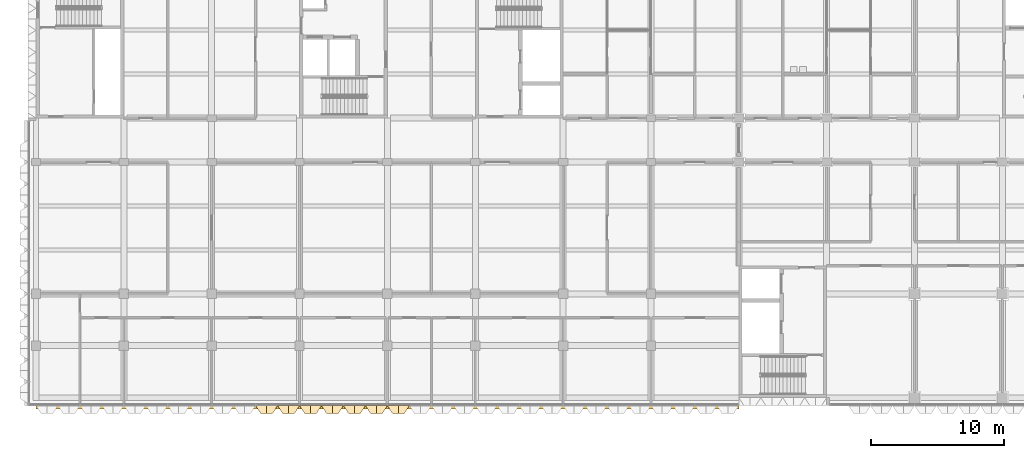
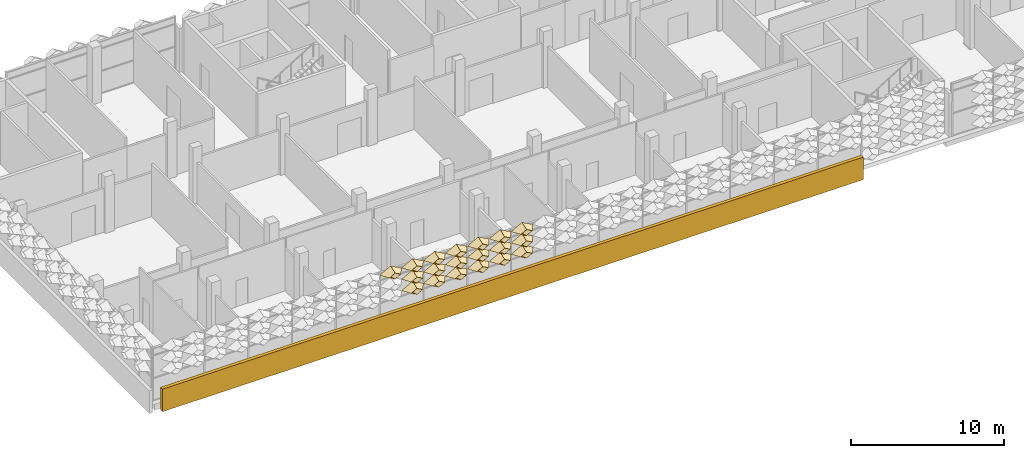
# One storey, part 40 of 85: 20 coverings.
"""IFC4 building model written with IfcOpenShell, lengths in metres."""

import ifcopenshell
import ifcopenshell.guid

model = None  # the IFC model being written
_history = None  # IfcOwnerHistory: only IFC2X3 demands one
_inside = {}  # id of a spatial element -> (the spatial element, [elements in it])
_under = {}  # id of a project, library or spatial element -> (it, [spatial elements below it])
_declared = {}  # id of a project -> (the project, [libraries it declares])
_typed = {}  # id of a type object -> (the type object, [elements of that type])
_made_of = {}  # id of a material, layer set ... -> (it, [elements and type objects made of it])


def new_model(schema):
    """Start an empty IFC model of exactly this schema.

    Asked for "IFC4X3", IfcOpenShell would pick the latest addendum, in which some entities
    have other attributes; the version numbers below select the first issue.
    IFC2X3 requires an IfcOwnerHistory on every rooted entity: one is made here for all.
    """
    global model, _history
    if schema == "IFC4X3":
        model = ifcopenshell.file(schema_version=(4, 3, 0, 0))
    else:
        model = ifcopenshell.file(schema=schema)
    _inside.clear()
    _under.clear()
    _declared.clear()
    _typed.clear()
    _made_of.clear()
    _history = None
    if model.schema == "IFC2X3":
        org = make("IfcOrganization", Name="unknown")
        user = make(
            "IfcPersonAndOrganization",
            ThePerson=make("IfcPerson", FamilyName="unknown"),
            TheOrganization=org,
        )
        app = make(
            "IfcApplication",
            ApplicationDeveloper=org,
            Version="unknown",
            ApplicationFullName="unknown",
            ApplicationIdentifier="unknown",
        )
        _history = make(
            "IfcOwnerHistory",
            OwningUser=user,
            OwningApplication=app,
            ChangeAction="ADDED",
            CreationDate=0,
        )
    return model


def make(cls, **values):
    """One entity of the class cls with the attributes given. An attribute that is None is left unset."""
    return model.create_entity(
        cls, **{name: value for name, value in values.items() if value is not None}
    )


def entity(cls, *values):
    """Any entity or typed value of the class cls, its attributes in the order of the schema. None: left unset."""
    e = model.create_entity(cls)
    for i, value in enumerate(values):
        if value is not None:
            e[i] = value
    return e


def rooted(cls, **values):
    """An entity with a GlobalId (a new one), such as an element, a storey or a relation."""
    return make(cls, GlobalId=ifcopenshell.guid.new(), OwnerHistory=_history, **values)


def si_unit(unit_type, name, prefix=None):
    """IfcSIUnit, for example si_unit("LENGTHUNIT", "METRE", prefix="MILLI")."""
    return make("IfcSIUnit", UnitType=unit_type, Prefix=prefix, Name=name)


def assignment(units):
    """IfcUnitAssignment: the units of a project."""
    return None if units is None else make("IfcUnitAssignment", Units=units)


def point(xyz):
    """IfcCartesianPoint."""
    return None if xyz is None else make("IfcCartesianPoint", Coordinates=xyz)


def direction(xyz):
    """IfcDirection."""
    return None if xyz is None else make("IfcDirection", DirectionRatios=xyz)


def frame(location, z_axis=None, x_axis=None):
    """IfcAxis2Placement3D, a coordinate frame: its origin and axes. An axis left out is left unset."""
    return make(
        "IfcAxis2Placement3D",
        Location=point(location),
        Axis=direction(z_axis),
        RefDirection=direction(x_axis),
    )


def frame_2d(location, x_axis=None):
    """IfcAxis2Placement2D, a coordinate frame in the plane: its origin and x axis."""
    return make(
        "IfcAxis2Placement2D", Location=point(location), RefDirection=direction(x_axis)
    )


def origin():
    """The frame at (0, 0, 0) with its axes left unset."""
    return frame((0.0, 0.0, 0.0))


def place(relative_to, where):
    """IfcLocalPlacement: puts the frame where relative to a parent placement (None: the world)."""
    return make(
        "IfcLocalPlacement", PlacementRelTo=relative_to, RelativePlacement=where
    )


def context(
    kind, dimensions, precision=None, world=None, true_north=None, identifier=None
):
    """IfcGeometricRepresentationContext, for example the 3D "Model" context."""
    return make(
        "IfcGeometricRepresentationContext",
        ContextIdentifier=identifier,
        ContextType=kind,
        CoordinateSpaceDimension=dimensions,
        Precision=precision,
        WorldCoordinateSystem=world,
        TrueNorth=true_north,
    )


def subcontext(parent, identifier, kind, view, scale=None):
    """IfcGeometricRepresentationSubContext, for example "Body" below "Model"."""
    return make(
        "IfcGeometricRepresentationSubContext",
        ContextIdentifier=identifier,
        ContextType=kind,
        ParentContext=parent,
        TargetScale=scale,
        TargetView=view,
    )


def project(units=None, contexts=None):
    """IfcProject with its units and contexts."""
    return rooted(
        "IfcProject",
        Name="project",
        RepresentationContexts=contexts,
        UnitsInContext=assignment(units),
    )


def spatial(cls, under=None, at=None, **own):
    """A site, building, storey or space (cls), placed at a placement, below another one or the project."""
    s = rooted(cls, ObjectPlacement=at, **own)
    if under is not None:
        _under.setdefault(under.id(), (under, []))[1].append(s)
    return s


def profile(cls, at=None, kind="AREA", **sizes):
    """A parametric profile (cls). Its sizes go by their IFC names, for example OverallWidth=200.0."""
    return make(cls, ProfileType=kind, Position=at, **sizes)


def rectangle(**sizes):
    """IfcRectangleProfileDef."""
    return profile("IfcRectangleProfileDef", **sizes)


def extrude(swept, where, along, depth):
    """IfcExtrudedAreaSolid: the profile swept, set in the frame where, extruded along a direction by depth."""
    return make(
        "IfcExtrudedAreaSolid",
        SweptArea=swept,
        Position=where,
        ExtrudedDirection=direction(along),
        Depth=depth,
    )


def shape(context_of_items, identifier, shape_type, items):
    """IfcShapeRepresentation: the items that make up one representation, for example the "Body"."""
    return make(
        "IfcShapeRepresentation",
        ContextOfItems=context_of_items,
        RepresentationIdentifier=identifier,
        RepresentationType=shape_type,
        Items=items,
    )


def material(Name=None, Category=None):
    """IfcMaterial."""
    return make("IfcMaterial", Name=Name, Category=Category)


def layer(
    of_material, thickness, ventilated=None, Name=None, Category=None, Priority=None
):
    """IfcMaterialLayer: one layer of a wall or slab, of a material (None: an air gap)."""
    return make(
        "IfcMaterialLayer",
        Material=of_material,
        LayerThickness=thickness,
        IsVentilated=ventilated,
        Name=Name,
        Category=Category,
        Priority=Priority,
    )


def layer_set(layers, Name=None):
    """IfcMaterialLayerSet."""
    return make("IfcMaterialLayerSet", MaterialLayers=layers, LayerSetName=Name)


def made_of(thing, what):
    """Note that an element or type object is made of a material, layer set ...; save() writes the relation."""
    if what is not None:
        _made_of.setdefault(what.id(), (what, []))[1].append(thing)
    return thing


def type_object(cls, material=None, **own):
    """A type object (cls), such as IfcWallType, which elements share."""
    return made_of(rooted(cls, **own), material)


def element(
    cls,
    number,
    at=None,
    inside=None,
    cuts=None,
    type_object=None,
    material=None,
    context=None,
    identifier="Body",
    shape_type=None,
    held_by="IfcProductDefinitionShape",
    body=None,
    shapes=None,
    **own,
):
    """One element of the class cls, such as IfcWall. Its Tag is "e" and its number.

    at: its placement. inside: the storey or other place that contains it. cuts: it is an
    opening in that element (IfcRelVoidsElement). A single representation is given by context,
    identifier, shape_type and body (its items); several are given by shapes. held_by: the class
    of the entity that holds the representations. save() writes the other relations.
    """
    e = rooted(cls, Tag="e%d" % number, ObjectPlacement=at, **own)
    if body is not None:
        shapes = [shape(context, identifier, shape_type, body)]
    if shapes is not None:
        e.Representation = make(held_by, Representations=shapes)
    if inside is not None:
        _inside.setdefault(inside.id(), (inside, []))[1].append(e)
    if cuts is not None:
        rooted(
            "IfcRelVoidsElement", RelatingBuildingElement=cuts, RelatedOpeningElement=e
        )
    if type_object is not None:
        _typed.setdefault(type_object.id(), (type_object, []))[1].append(e)
    return made_of(e, material)


def aggregate(whole, parts):
    """IfcRelAggregates: a whole, such as a stair, and the parts it consists of."""
    return rooted("IfcRelAggregates", RelatingObject=whole, RelatedObjects=parts)


def save(model, path):
    """Write the relations noted so far, then the file.

    IfcRelAggregates (storeys below a building ...), IfcRelContainedInSpatialStructure (elements
    in a storey), IfcRelDefinesByType, IfcRelAssociatesMaterial and IfcRelDeclares: one each for
    every whole, place, type object, material and project.
    """
    for whole, parts in _under.values():
        aggregate(whole, parts)
    for where, things in _inside.values():
        rooted(
            "IfcRelContainedInSpatialStructure",
            RelatedElements=things,
            RelatingStructure=where,
        )
    for kind, things in _typed.values():
        rooted("IfcRelDefinesByType", RelatedObjects=things, RelatingType=kind)
    for what, things in _made_of.values():
        rooted("IfcRelAssociatesMaterial", RelatedObjects=things, RelatingMaterial=what)
    for by, libraries in _declared.values():
        rooted("IfcRelDeclares", RelatingContext=by, RelatedDefinitions=libraries)
    model.write(path)


model = new_model("IFC4")

# Units and contexts
model_context = context("Model", 3, precision=1e-05, world=origin(), true_north=direction((0.0, 1.0)))
body_context = subcontext(model_context, "Body", "Model", "MODEL_VIEW")
ifc_project = project(units=[si_unit("LENGTHUNIT", "METRE"), si_unit("AREAUNIT", "SQUARE_METRE"), si_unit("VOLUMEUNIT", "CUBIC_METRE"), si_unit("PLANEANGLEUNIT", "RADIAN"), si_unit("MASSUNIT", "GRAM", prefix="KILO")], contexts=[model_context])

# Site, building, storey
site_placement = place(None, origin())
site = spatial("IfcSite", under=ifc_project, at=site_placement, CompositionType="ELEMENT")
building_placement = place(site_placement, origin())
building = spatial("IfcBuilding", under=site, at=building_placement, Name="Lantern Court Research Institute", CompositionType="ELEMENT")
storey_placement = place(building_placement, frame((0.0, 0.0, 18.89990234375)))
storey = spatial("IfcBuildingStorey", under=building, at=storey_placement, Name="L04", CompositionType="ELEMENT", Elevation=18.89990234375)

# Coverings
ifc_material_1 = material(Name="Anodised aluminium", Category="aluminium")
ifc_layer_1 = layer(ifc_material_1, 0.01611328125)
ifc_layer_set_1 = layer_set([ifc_layer_1], Name="Anodised aluminium")
covering_type_1 = type_object("IfcCoveringType", Name="Fin cassette 1650 x 900 x 600 aluminium", PredefinedType="CLADDING", material=ifc_layer_set_1)
covering_1_placement = place(storey_placement, frame((18.97509765625, -8.39990234375, 2.25), z_axis=(0.0, -1.0, 0.0), x_axis=(1.0, 0.0, 0.0)))
cartesian_point_1 = entity("IfcCartesianPoint", [0.824951171875, 0.0])
cartesian_point_2 = entity("IfcCartesianPoint", [0.79150390625, 0.0])
cartesian_point_3 = entity("IfcCartesianPoint", [0.44189453125, 0.0])
cartesian_point_4 = entity("IfcCartesianPoint", [0.43359375, 0.0])
element("IfcCovering", 1, at=covering_1_placement, inside=storey, type_object=covering_type_1, Name="Fin cassette V4S-L04 3.12", PredefinedType="CLADDING", context=body_context, shape_type="SweptSolid", body=[
    entity("IfcExtrudedAreaSolidTapered", entity("IfcArbitraryProfileDefWithVoids", "AREA", None, entity("IfcPolyline", [cartesian_point_1, entity("IfcCartesianPoint", [0.0, 0.449951171875]), entity("IfcCartesianPoint", [-0.824951171875, 0.0]), entity("IfcCartesianPoint", [0.0, -0.449951171875]), cartesian_point_1]), [entity("IfcPolyline", [cartesian_point_2, entity("IfcCartesianPoint", [0.0, 0.431884765625]), entity("IfcCartesianPoint", [-0.79150390625, 0.0]), entity("IfcCartesianPoint", [0.0, -0.431884765625]), cartesian_point_2])]), entity("IfcAxis2Placement3D", entity("IfcCartesianPoint", [0.0, 0.0, 0.0])), entity("IfcDirection", [0.0, 0.0, 1.0]), 0.60009765625, entity("IfcArbitraryProfileDefWithVoids", "AREA", None, entity("IfcPolyline", [cartesian_point_3, entity("IfcCartesianPoint", [0.0, 0.240966796875]), entity("IfcCartesianPoint", [-0.44189453125, 0.0]), entity("IfcCartesianPoint", [0.0, -0.240966796875]), cartesian_point_3]), [entity("IfcPolyline", [cartesian_point_4, entity("IfcCartesianPoint", [0.0, 0.236572265625]), entity("IfcCartesianPoint", [-0.43359375, 0.0]), entity("IfcCartesianPoint", [0.0, -0.236572265625]), cartesian_point_4])])),
])
covering_2_placement = place(storey_placement, frame((20.625, -8.39990234375, 2.25), z_axis=(0.0, -1.0, 0.0), x_axis=(1.0, 0.0, 0.0)))
cartesian_point_5 = entity("IfcCartesianPoint", [0.824951171875, 0.0])
cartesian_point_6 = entity("IfcCartesianPoint", [0.79150390625, 0.0])
cartesian_point_7 = entity("IfcCartesianPoint", [0.44189453125, 0.0])
cartesian_point_8 = entity("IfcCartesianPoint", [0.43359375, 0.0])
element("IfcCovering", 2, at=covering_2_placement, inside=storey, type_object=covering_type_1, Name="Fin cassette V4S-L04 3.13", PredefinedType="CLADDING", context=body_context, shape_type="SweptSolid", body=[
    entity("IfcExtrudedAreaSolidTapered", entity("IfcArbitraryProfileDefWithVoids", "AREA", None, entity("IfcPolyline", [cartesian_point_5, entity("IfcCartesianPoint", [0.0, 0.449951171875]), entity("IfcCartesianPoint", [-0.824951171875, 0.0]), entity("IfcCartesianPoint", [0.0, -0.449951171875]), cartesian_point_5]), [entity("IfcPolyline", [cartesian_point_6, entity("IfcCartesianPoint", [0.0, 0.431884765625]), entity("IfcCartesianPoint", [-0.79150390625, 0.0]), entity("IfcCartesianPoint", [0.0, -0.431884765625]), cartesian_point_6])]), entity("IfcAxis2Placement3D", entity("IfcCartesianPoint", [0.0, 0.0, 0.0])), entity("IfcDirection", [0.0, 0.0, 1.0]), 0.60009765625, entity("IfcArbitraryProfileDefWithVoids", "AREA", None, entity("IfcPolyline", [cartesian_point_7, entity("IfcCartesianPoint", [0.0, 0.240966796875]), entity("IfcCartesianPoint", [-0.44189453125, 0.0]), entity("IfcCartesianPoint", [0.0, -0.240966796875]), cartesian_point_7]), [entity("IfcPolyline", [cartesian_point_8, entity("IfcCartesianPoint", [0.0, 0.236572265625]), entity("IfcCartesianPoint", [-0.43359375, 0.0]), entity("IfcCartesianPoint", [0.0, -0.236572265625]), cartesian_point_8])])),
])
covering_3_placement = place(storey_placement, frame((22.27490234375, -8.39990234375, 2.25), z_axis=(0.0, -1.0, 0.0), x_axis=(1.0, 0.0, 0.0)))
cartesian_point_9 = entity("IfcCartesianPoint", [0.824951171875, 0.0])
cartesian_point_10 = entity("IfcCartesianPoint", [0.79150390625, 0.0])
cartesian_point_11 = entity("IfcCartesianPoint", [0.44189453125, 0.0])
cartesian_point_12 = entity("IfcCartesianPoint", [0.43359375, 0.0])
element("IfcCovering", 3, at=covering_3_placement, inside=storey, type_object=covering_type_1, Name="Fin cassette V4S-L04 3.14", PredefinedType="CLADDING", context=body_context, shape_type="SweptSolid", body=[
    entity("IfcExtrudedAreaSolidTapered", entity("IfcArbitraryProfileDefWithVoids", "AREA", None, entity("IfcPolyline", [cartesian_point_9, entity("IfcCartesianPoint", [0.0, 0.449951171875]), entity("IfcCartesianPoint", [-0.824951171875, 0.0]), entity("IfcCartesianPoint", [0.0, -0.449951171875]), cartesian_point_9]), [entity("IfcPolyline", [cartesian_point_10, entity("IfcCartesianPoint", [0.0, 0.431884765625]), entity("IfcCartesianPoint", [-0.79150390625, 0.0]), entity("IfcCartesianPoint", [0.0, -0.431884765625]), cartesian_point_10])]), entity("IfcAxis2Placement3D", entity("IfcCartesianPoint", [0.0, 0.0, 0.0])), entity("IfcDirection", [0.0, 0.0, 1.0]), 0.60009765625, entity("IfcArbitraryProfileDefWithVoids", "AREA", None, entity("IfcPolyline", [cartesian_point_11, entity("IfcCartesianPoint", [0.0, 0.240966796875]), entity("IfcCartesianPoint", [-0.44189453125, 0.0]), entity("IfcCartesianPoint", [0.0, -0.240966796875]), cartesian_point_11]), [entity("IfcPolyline", [cartesian_point_12, entity("IfcCartesianPoint", [0.0, 0.236572265625]), entity("IfcCartesianPoint", [-0.43359375, 0.0]), entity("IfcCartesianPoint", [0.0, -0.236572265625]), cartesian_point_12])])),
])
covering_4_placement = place(storey_placement, frame((23.925048828125, -8.39990234375, 2.25), z_axis=(0.0, -1.0, 0.0), x_axis=(1.0, 0.0, 0.0)))
cartesian_point_13 = entity("IfcCartesianPoint", [0.824951171875, 0.0])
cartesian_point_14 = entity("IfcCartesianPoint", [0.79150390625, 0.0])
cartesian_point_15 = entity("IfcCartesianPoint", [0.44189453125, 0.0])
cartesian_point_16 = entity("IfcCartesianPoint", [0.43359375, 0.0])
element("IfcCovering", 4, at=covering_4_placement, inside=storey, type_object=covering_type_1, Name="Fin cassette V4S-L04 3.15", PredefinedType="CLADDING", context=body_context, shape_type="SweptSolid", body=[
    entity("IfcExtrudedAreaSolidTapered", entity("IfcArbitraryProfileDefWithVoids", "AREA", None, entity("IfcPolyline", [cartesian_point_13, entity("IfcCartesianPoint", [0.0, 0.449951171875]), entity("IfcCartesianPoint", [-0.824951171875, 0.0]), entity("IfcCartesianPoint", [0.0, -0.449951171875]), cartesian_point_13]), [entity("IfcPolyline", [cartesian_point_14, entity("IfcCartesianPoint", [0.0, 0.431884765625]), entity("IfcCartesianPoint", [-0.79150390625, 0.0]), entity("IfcCartesianPoint", [0.0, -0.431884765625]), cartesian_point_14])]), entity("IfcAxis2Placement3D", entity("IfcCartesianPoint", [0.0, 0.0, 0.0])), entity("IfcDirection", [0.0, 0.0, 1.0]), 0.60009765625, entity("IfcArbitraryProfileDefWithVoids", "AREA", None, entity("IfcPolyline", [cartesian_point_15, entity("IfcCartesianPoint", [0.0, 0.240966796875]), entity("IfcCartesianPoint", [-0.44189453125, 0.0]), entity("IfcCartesianPoint", [0.0, -0.240966796875]), cartesian_point_15]), [entity("IfcPolyline", [cartesian_point_16, entity("IfcCartesianPoint", [0.0, 0.236572265625]), entity("IfcCartesianPoint", [-0.43359375, 0.0]), entity("IfcCartesianPoint", [0.0, -0.236572265625]), cartesian_point_16])])),
])
covering_5_placement = place(storey_placement, frame((25.574951171875, -8.39990234375, 2.25), z_axis=(0.0, -1.0, 0.0), x_axis=(1.0, 0.0, 0.0)))
cartesian_point_17 = entity("IfcCartesianPoint", [0.824951171875, 0.0])
cartesian_point_18 = entity("IfcCartesianPoint", [0.79150390625, 0.0])
cartesian_point_19 = entity("IfcCartesianPoint", [0.44189453125, 0.0])
cartesian_point_20 = entity("IfcCartesianPoint", [0.43359375, 0.0])
element("IfcCovering", 5, at=covering_5_placement, inside=storey, type_object=covering_type_1, Name="Fin cassette V4S-L04 3.16", PredefinedType="CLADDING", context=body_context, shape_type="SweptSolid", body=[
    entity("IfcExtrudedAreaSolidTapered", entity("IfcArbitraryProfileDefWithVoids", "AREA", None, entity("IfcPolyline", [cartesian_point_17, entity("IfcCartesianPoint", [0.0, 0.449951171875]), entity("IfcCartesianPoint", [-0.824951171875, 0.0]), entity("IfcCartesianPoint", [0.0, -0.449951171875]), cartesian_point_17]), [entity("IfcPolyline", [cartesian_point_18, entity("IfcCartesianPoint", [0.0, 0.431884765625]), entity("IfcCartesianPoint", [-0.79150390625, 0.0]), entity("IfcCartesianPoint", [0.0, -0.431884765625]), cartesian_point_18])]), entity("IfcAxis2Placement3D", entity("IfcCartesianPoint", [0.0, 0.0, 0.0])), entity("IfcDirection", [0.0, 0.0, 1.0]), 0.60009765625, entity("IfcArbitraryProfileDefWithVoids", "AREA", None, entity("IfcPolyline", [cartesian_point_19, entity("IfcCartesianPoint", [0.0, 0.240966796875]), entity("IfcCartesianPoint", [-0.44189453125, 0.0]), entity("IfcCartesianPoint", [0.0, -0.240966796875]), cartesian_point_19]), [entity("IfcPolyline", [cartesian_point_20, entity("IfcCartesianPoint", [0.0, 0.236572265625]), entity("IfcCartesianPoint", [-0.43359375, 0.0]), entity("IfcCartesianPoint", [0.0, -0.236572265625]), cartesian_point_20])])),
])
covering_6_placement = place(storey_placement, frame((27.22509765625, -8.39990234375, 2.25), z_axis=(0.0, -1.0, 0.0), x_axis=(1.0, 0.0, 0.0)))
cartesian_point_21 = entity("IfcCartesianPoint", [0.824951171875, 0.0])
cartesian_point_22 = entity("IfcCartesianPoint", [0.79150390625, 0.0])
cartesian_point_23 = entity("IfcCartesianPoint", [0.44189453125, 0.0])
cartesian_point_24 = entity("IfcCartesianPoint", [0.43359375, 0.0])
element("IfcCovering", 6, at=covering_6_placement, inside=storey, type_object=covering_type_1, Name="Fin cassette V4S-L04 3.17", PredefinedType="CLADDING", context=body_context, shape_type="SweptSolid", body=[
    entity("IfcExtrudedAreaSolidTapered", entity("IfcArbitraryProfileDefWithVoids", "AREA", None, entity("IfcPolyline", [cartesian_point_21, entity("IfcCartesianPoint", [0.0, 0.449951171875]), entity("IfcCartesianPoint", [-0.824951171875, 0.0]), entity("IfcCartesianPoint", [0.0, -0.449951171875]), cartesian_point_21]), [entity("IfcPolyline", [cartesian_point_22, entity("IfcCartesianPoint", [0.0, 0.431884765625]), entity("IfcCartesianPoint", [-0.79150390625, 0.0]), entity("IfcCartesianPoint", [0.0, -0.431884765625]), cartesian_point_22])]), entity("IfcAxis2Placement3D", entity("IfcCartesianPoint", [0.0, 0.0, 0.0])), entity("IfcDirection", [0.0, 0.0, 1.0]), 0.60009765625, entity("IfcArbitraryProfileDefWithVoids", "AREA", None, entity("IfcPolyline", [cartesian_point_23, entity("IfcCartesianPoint", [0.0, 0.240966796875]), entity("IfcCartesianPoint", [-0.44189453125, 0.0]), entity("IfcCartesianPoint", [0.0, -0.240966796875]), cartesian_point_23]), [entity("IfcPolyline", [cartesian_point_24, entity("IfcCartesianPoint", [0.0, 0.236572265625]), entity("IfcCartesianPoint", [-0.43359375, 0.0]), entity("IfcCartesianPoint", [0.0, -0.236572265625]), cartesian_point_24])])),
])
covering_7_placement = place(storey_placement, frame((18.97509765625, -8.39990234375, 3.150146484375), z_axis=(0.0, -1.0, 0.0), x_axis=(1.0, 0.0, 0.0)))
cartesian_point_25 = entity("IfcCartesianPoint", [0.824951171875, 0.0])
cartesian_point_26 = entity("IfcCartesianPoint", [0.79150390625, 0.0])
cartesian_point_27 = entity("IfcCartesianPoint", [0.44189453125, 0.0])
cartesian_point_28 = entity("IfcCartesianPoint", [0.43359375, 0.0])
element("IfcCovering", 7, at=covering_7_placement, inside=storey, type_object=covering_type_1, Name="Fin cassette V4S-L04 4.12", PredefinedType="CLADDING", context=body_context, shape_type="SweptSolid", body=[
    entity("IfcExtrudedAreaSolidTapered", entity("IfcArbitraryProfileDefWithVoids", "AREA", None, entity("IfcPolyline", [cartesian_point_25, entity("IfcCartesianPoint", [0.0, 0.449951171875]), entity("IfcCartesianPoint", [-0.824951171875, 0.0]), entity("IfcCartesianPoint", [0.0, -0.449951171875]), cartesian_point_25]), [entity("IfcPolyline", [cartesian_point_26, entity("IfcCartesianPoint", [0.0, 0.431884765625]), entity("IfcCartesianPoint", [-0.79150390625, 0.0]), entity("IfcCartesianPoint", [0.0, -0.431884765625]), cartesian_point_26])]), entity("IfcAxis2Placement3D", entity("IfcCartesianPoint", [0.0, 0.0, 0.0])), entity("IfcDirection", [0.0, 0.0, 1.0]), 0.60009765625, entity("IfcArbitraryProfileDefWithVoids", "AREA", None, entity("IfcPolyline", [cartesian_point_27, entity("IfcCartesianPoint", [0.0, 0.240966796875]), entity("IfcCartesianPoint", [-0.44189453125, 0.0]), entity("IfcCartesianPoint", [0.0, -0.240966796875]), cartesian_point_27]), [entity("IfcPolyline", [cartesian_point_28, entity("IfcCartesianPoint", [0.0, 0.236572265625]), entity("IfcCartesianPoint", [-0.43359375, 0.0]), entity("IfcCartesianPoint", [0.0, -0.236572265625]), cartesian_point_28])])),
])
covering_8_placement = place(storey_placement, frame((20.625, -8.39990234375, 3.150146484375), z_axis=(0.0, -1.0, 0.0), x_axis=(1.0, 0.0, 0.0)))
cartesian_point_29 = entity("IfcCartesianPoint", [0.824951171875, 0.0])
cartesian_point_30 = entity("IfcCartesianPoint", [0.79150390625, 0.0])
cartesian_point_31 = entity("IfcCartesianPoint", [0.44189453125, 0.0])
cartesian_point_32 = entity("IfcCartesianPoint", [0.43359375, 0.0])
element("IfcCovering", 8, at=covering_8_placement, inside=storey, type_object=covering_type_1, Name="Fin cassette V4S-L04 4.13", PredefinedType="CLADDING", context=body_context, shape_type="SweptSolid", body=[
    entity("IfcExtrudedAreaSolidTapered", entity("IfcArbitraryProfileDefWithVoids", "AREA", None, entity("IfcPolyline", [cartesian_point_29, entity("IfcCartesianPoint", [0.0, 0.449951171875]), entity("IfcCartesianPoint", [-0.824951171875, 0.0]), entity("IfcCartesianPoint", [0.0, -0.449951171875]), cartesian_point_29]), [entity("IfcPolyline", [cartesian_point_30, entity("IfcCartesianPoint", [0.0, 0.431884765625]), entity("IfcCartesianPoint", [-0.79150390625, 0.0]), entity("IfcCartesianPoint", [0.0, -0.431884765625]), cartesian_point_30])]), entity("IfcAxis2Placement3D", entity("IfcCartesianPoint", [0.0, 0.0, 0.0])), entity("IfcDirection", [0.0, 0.0, 1.0]), 0.60009765625, entity("IfcArbitraryProfileDefWithVoids", "AREA", None, entity("IfcPolyline", [cartesian_point_31, entity("IfcCartesianPoint", [0.0, 0.240966796875]), entity("IfcCartesianPoint", [-0.44189453125, 0.0]), entity("IfcCartesianPoint", [0.0, -0.240966796875]), cartesian_point_31]), [entity("IfcPolyline", [cartesian_point_32, entity("IfcCartesianPoint", [0.0, 0.236572265625]), entity("IfcCartesianPoint", [-0.43359375, 0.0]), entity("IfcCartesianPoint", [0.0, -0.236572265625]), cartesian_point_32])])),
])
covering_9_placement = place(storey_placement, frame((22.27490234375, -8.39990234375, 3.150146484375), z_axis=(0.0, -1.0, 0.0), x_axis=(1.0, 0.0, 0.0)))
cartesian_point_33 = entity("IfcCartesianPoint", [0.824951171875, 0.0])
cartesian_point_34 = entity("IfcCartesianPoint", [0.79150390625, 0.0])
cartesian_point_35 = entity("IfcCartesianPoint", [0.44189453125, 0.0])
cartesian_point_36 = entity("IfcCartesianPoint", [0.43359375, 0.0])
element("IfcCovering", 9, at=covering_9_placement, inside=storey, type_object=covering_type_1, Name="Fin cassette V4S-L04 4.14", PredefinedType="CLADDING", context=body_context, shape_type="SweptSolid", body=[
    entity("IfcExtrudedAreaSolidTapered", entity("IfcArbitraryProfileDefWithVoids", "AREA", None, entity("IfcPolyline", [cartesian_point_33, entity("IfcCartesianPoint", [0.0, 0.449951171875]), entity("IfcCartesianPoint", [-0.824951171875, 0.0]), entity("IfcCartesianPoint", [0.0, -0.449951171875]), cartesian_point_33]), [entity("IfcPolyline", [cartesian_point_34, entity("IfcCartesianPoint", [0.0, 0.431884765625]), entity("IfcCartesianPoint", [-0.79150390625, 0.0]), entity("IfcCartesianPoint", [0.0, -0.431884765625]), cartesian_point_34])]), entity("IfcAxis2Placement3D", entity("IfcCartesianPoint", [0.0, 0.0, 0.0])), entity("IfcDirection", [0.0, 0.0, 1.0]), 0.60009765625, entity("IfcArbitraryProfileDefWithVoids", "AREA", None, entity("IfcPolyline", [cartesian_point_35, entity("IfcCartesianPoint", [0.0, 0.240966796875]), entity("IfcCartesianPoint", [-0.44189453125, 0.0]), entity("IfcCartesianPoint", [0.0, -0.240966796875]), cartesian_point_35]), [entity("IfcPolyline", [cartesian_point_36, entity("IfcCartesianPoint", [0.0, 0.236572265625]), entity("IfcCartesianPoint", [-0.43359375, 0.0]), entity("IfcCartesianPoint", [0.0, -0.236572265625]), cartesian_point_36])])),
])
covering_10_placement = place(storey_placement, frame((23.925048828125, -8.39990234375, 3.150146484375), z_axis=(0.0, -1.0, 0.0), x_axis=(1.0, 0.0, 0.0)))
cartesian_point_37 = entity("IfcCartesianPoint", [0.824951171875, 0.0])
cartesian_point_38 = entity("IfcCartesianPoint", [0.79150390625, 0.0])
cartesian_point_39 = entity("IfcCartesianPoint", [0.44189453125, 0.0])
cartesian_point_40 = entity("IfcCartesianPoint", [0.43359375, 0.0])
element("IfcCovering", 10, at=covering_10_placement, inside=storey, type_object=covering_type_1, Name="Fin cassette V4S-L04 4.15", PredefinedType="CLADDING", context=body_context, shape_type="SweptSolid", body=[
    entity("IfcExtrudedAreaSolidTapered", entity("IfcArbitraryProfileDefWithVoids", "AREA", None, entity("IfcPolyline", [cartesian_point_37, entity("IfcCartesianPoint", [0.0, 0.449951171875]), entity("IfcCartesianPoint", [-0.824951171875, 0.0]), entity("IfcCartesianPoint", [0.0, -0.449951171875]), cartesian_point_37]), [entity("IfcPolyline", [cartesian_point_38, entity("IfcCartesianPoint", [0.0, 0.431884765625]), entity("IfcCartesianPoint", [-0.79150390625, 0.0]), entity("IfcCartesianPoint", [0.0, -0.431884765625]), cartesian_point_38])]), entity("IfcAxis2Placement3D", entity("IfcCartesianPoint", [0.0, 0.0, 0.0])), entity("IfcDirection", [0.0, 0.0, 1.0]), 0.60009765625, entity("IfcArbitraryProfileDefWithVoids", "AREA", None, entity("IfcPolyline", [cartesian_point_39, entity("IfcCartesianPoint", [0.0, 0.240966796875]), entity("IfcCartesianPoint", [-0.44189453125, 0.0]), entity("IfcCartesianPoint", [0.0, -0.240966796875]), cartesian_point_39]), [entity("IfcPolyline", [cartesian_point_40, entity("IfcCartesianPoint", [0.0, 0.236572265625]), entity("IfcCartesianPoint", [-0.43359375, 0.0]), entity("IfcCartesianPoint", [0.0, -0.236572265625]), cartesian_point_40])])),
])
covering_11_placement = place(storey_placement, frame((25.574951171875, -8.39990234375, 3.150146484375), z_axis=(0.0, -1.0, 0.0), x_axis=(1.0, 0.0, 0.0)))
cartesian_point_41 = entity("IfcCartesianPoint", [0.824951171875, 0.0])
cartesian_point_42 = entity("IfcCartesianPoint", [0.79150390625, 0.0])
cartesian_point_43 = entity("IfcCartesianPoint", [0.44189453125, 0.0])
cartesian_point_44 = entity("IfcCartesianPoint", [0.43359375, 0.0])
element("IfcCovering", 11, at=covering_11_placement, inside=storey, type_object=covering_type_1, Name="Fin cassette V4S-L04 4.16", PredefinedType="CLADDING", context=body_context, shape_type="SweptSolid", body=[
    entity("IfcExtrudedAreaSolidTapered", entity("IfcArbitraryProfileDefWithVoids", "AREA", None, entity("IfcPolyline", [cartesian_point_41, entity("IfcCartesianPoint", [0.0, 0.449951171875]), entity("IfcCartesianPoint", [-0.824951171875, 0.0]), entity("IfcCartesianPoint", [0.0, -0.449951171875]), cartesian_point_41]), [entity("IfcPolyline", [cartesian_point_42, entity("IfcCartesianPoint", [0.0, 0.431884765625]), entity("IfcCartesianPoint", [-0.79150390625, 0.0]), entity("IfcCartesianPoint", [0.0, -0.431884765625]), cartesian_point_42])]), entity("IfcAxis2Placement3D", entity("IfcCartesianPoint", [0.0, 0.0, 0.0])), entity("IfcDirection", [0.0, 0.0, 1.0]), 0.60009765625, entity("IfcArbitraryProfileDefWithVoids", "AREA", None, entity("IfcPolyline", [cartesian_point_43, entity("IfcCartesianPoint", [0.0, 0.240966796875]), entity("IfcCartesianPoint", [-0.44189453125, 0.0]), entity("IfcCartesianPoint", [0.0, -0.240966796875]), cartesian_point_43]), [entity("IfcPolyline", [cartesian_point_44, entity("IfcCartesianPoint", [0.0, 0.236572265625]), entity("IfcCartesianPoint", [-0.43359375, 0.0]), entity("IfcCartesianPoint", [0.0, -0.236572265625]), cartesian_point_44])])),
])
covering_12_placement = place(storey_placement, frame((27.22509765625, -8.39990234375, 3.150146484375), z_axis=(0.0, -1.0, 0.0), x_axis=(1.0, 0.0, 0.0)))
cartesian_point_45 = entity("IfcCartesianPoint", [0.824951171875, 0.0])
cartesian_point_46 = entity("IfcCartesianPoint", [0.79150390625, 0.0])
cartesian_point_47 = entity("IfcCartesianPoint", [0.44189453125, 0.0])
cartesian_point_48 = entity("IfcCartesianPoint", [0.43359375, 0.0])
element("IfcCovering", 12, at=covering_12_placement, inside=storey, type_object=covering_type_1, Name="Fin cassette V4S-L04 4.17", PredefinedType="CLADDING", context=body_context, shape_type="SweptSolid", body=[
    entity("IfcExtrudedAreaSolidTapered", entity("IfcArbitraryProfileDefWithVoids", "AREA", None, entity("IfcPolyline", [cartesian_point_45, entity("IfcCartesianPoint", [0.0, 0.449951171875]), entity("IfcCartesianPoint", [-0.824951171875, 0.0]), entity("IfcCartesianPoint", [0.0, -0.449951171875]), cartesian_point_45]), [entity("IfcPolyline", [cartesian_point_46, entity("IfcCartesianPoint", [0.0, 0.431884765625]), entity("IfcCartesianPoint", [-0.79150390625, 0.0]), entity("IfcCartesianPoint", [0.0, -0.431884765625]), cartesian_point_46])]), entity("IfcAxis2Placement3D", entity("IfcCartesianPoint", [0.0, 0.0, 0.0])), entity("IfcDirection", [0.0, 0.0, 1.0]), 0.60009765625, entity("IfcArbitraryProfileDefWithVoids", "AREA", None, entity("IfcPolyline", [cartesian_point_47, entity("IfcCartesianPoint", [0.0, 0.240966796875]), entity("IfcCartesianPoint", [-0.44189453125, 0.0]), entity("IfcCartesianPoint", [0.0, -0.240966796875]), cartesian_point_47]), [entity("IfcPolyline", [cartesian_point_48, entity("IfcCartesianPoint", [0.0, 0.236572265625]), entity("IfcCartesianPoint", [-0.43359375, 0.0]), entity("IfcCartesianPoint", [0.0, -0.236572265625]), cartesian_point_48])])),
])
covering_13_placement = place(storey_placement, frame((17.324951171875, -8.39990234375, 4.050048828125), z_axis=(0.0, -1.0, 0.0), x_axis=(1.0, 0.0, 0.0)))
cartesian_point_49 = entity("IfcCartesianPoint", [0.824951171875, 0.0])
cartesian_point_50 = entity("IfcCartesianPoint", [0.79150390625, 0.0])
cartesian_point_51 = entity("IfcCartesianPoint", [0.44189453125, 0.0])
cartesian_point_52 = entity("IfcCartesianPoint", [0.43359375, 0.0])
element("IfcCovering", 13, at=covering_13_placement, inside=storey, type_object=covering_type_1, Name="Fin cassette V4S-L04 5.11", PredefinedType="CLADDING", context=body_context, shape_type="SweptSolid", body=[
    entity("IfcExtrudedAreaSolidTapered", entity("IfcArbitraryProfileDefWithVoids", "AREA", None, entity("IfcPolyline", [cartesian_point_49, entity("IfcCartesianPoint", [0.0, 0.449951171875]), entity("IfcCartesianPoint", [-0.824951171875, 0.0]), entity("IfcCartesianPoint", [0.0, -0.449951171875]), cartesian_point_49]), [entity("IfcPolyline", [cartesian_point_50, entity("IfcCartesianPoint", [0.0, 0.431884765625]), entity("IfcCartesianPoint", [-0.79150390625, 0.0]), entity("IfcCartesianPoint", [0.0, -0.431884765625]), cartesian_point_50])]), entity("IfcAxis2Placement3D", entity("IfcCartesianPoint", [0.0, 0.0, 0.0])), entity("IfcDirection", [0.0, 0.0, 1.0]), 0.60009765625, entity("IfcArbitraryProfileDefWithVoids", "AREA", None, entity("IfcPolyline", [cartesian_point_51, entity("IfcCartesianPoint", [0.0, 0.240966796875]), entity("IfcCartesianPoint", [-0.44189453125, 0.0]), entity("IfcCartesianPoint", [0.0, -0.240966796875]), cartesian_point_51]), [entity("IfcPolyline", [cartesian_point_52, entity("IfcCartesianPoint", [0.0, 0.236572265625]), entity("IfcCartesianPoint", [-0.43359375, 0.0]), entity("IfcCartesianPoint", [0.0, -0.236572265625]), cartesian_point_52])])),
])
covering_14_placement = place(storey_placement, frame((18.97509765625, -8.39990234375, 4.050048828125), z_axis=(0.0, -1.0, 0.0), x_axis=(1.0, 0.0, 0.0)))
cartesian_point_53 = entity("IfcCartesianPoint", [0.824951171875, 0.0])
cartesian_point_54 = entity("IfcCartesianPoint", [0.79150390625, 0.0])
cartesian_point_55 = entity("IfcCartesianPoint", [0.44189453125, 0.0])
cartesian_point_56 = entity("IfcCartesianPoint", [0.43359375, 0.0])
element("IfcCovering", 14, at=covering_14_placement, inside=storey, type_object=covering_type_1, Name="Fin cassette V4S-L04 5.12", PredefinedType="CLADDING", context=body_context, shape_type="SweptSolid", body=[
    entity("IfcExtrudedAreaSolidTapered", entity("IfcArbitraryProfileDefWithVoids", "AREA", None, entity("IfcPolyline", [cartesian_point_53, entity("IfcCartesianPoint", [0.0, 0.449951171875]), entity("IfcCartesianPoint", [-0.824951171875, 0.0]), entity("IfcCartesianPoint", [0.0, -0.449951171875]), cartesian_point_53]), [entity("IfcPolyline", [cartesian_point_54, entity("IfcCartesianPoint", [0.0, 0.431884765625]), entity("IfcCartesianPoint", [-0.79150390625, 0.0]), entity("IfcCartesianPoint", [0.0, -0.431884765625]), cartesian_point_54])]), entity("IfcAxis2Placement3D", entity("IfcCartesianPoint", [0.0, 0.0, 0.0])), entity("IfcDirection", [0.0, 0.0, 1.0]), 0.60009765625, entity("IfcArbitraryProfileDefWithVoids", "AREA", None, entity("IfcPolyline", [cartesian_point_55, entity("IfcCartesianPoint", [0.0, 0.240966796875]), entity("IfcCartesianPoint", [-0.44189453125, 0.0]), entity("IfcCartesianPoint", [0.0, -0.240966796875]), cartesian_point_55]), [entity("IfcPolyline", [cartesian_point_56, entity("IfcCartesianPoint", [0.0, 0.236572265625]), entity("IfcCartesianPoint", [-0.43359375, 0.0]), entity("IfcCartesianPoint", [0.0, -0.236572265625]), cartesian_point_56])])),
])
covering_15_placement = place(storey_placement, frame((20.625, -8.39990234375, 4.050048828125), z_axis=(0.0, -1.0, 0.0), x_axis=(1.0, 0.0, 0.0)))
cartesian_point_57 = entity("IfcCartesianPoint", [0.824951171875, 0.0])
cartesian_point_58 = entity("IfcCartesianPoint", [0.79150390625, 0.0])
cartesian_point_59 = entity("IfcCartesianPoint", [0.44189453125, 0.0])
cartesian_point_60 = entity("IfcCartesianPoint", [0.43359375, 0.0])
element("IfcCovering", 15, at=covering_15_placement, inside=storey, type_object=covering_type_1, Name="Fin cassette V4S-L04 5.13", PredefinedType="CLADDING", context=body_context, shape_type="SweptSolid", body=[
    entity("IfcExtrudedAreaSolidTapered", entity("IfcArbitraryProfileDefWithVoids", "AREA", None, entity("IfcPolyline", [cartesian_point_57, entity("IfcCartesianPoint", [0.0, 0.449951171875]), entity("IfcCartesianPoint", [-0.824951171875, 0.0]), entity("IfcCartesianPoint", [0.0, -0.449951171875]), cartesian_point_57]), [entity("IfcPolyline", [cartesian_point_58, entity("IfcCartesianPoint", [0.0, 0.431884765625]), entity("IfcCartesianPoint", [-0.79150390625, 0.0]), entity("IfcCartesianPoint", [0.0, -0.431884765625]), cartesian_point_58])]), entity("IfcAxis2Placement3D", entity("IfcCartesianPoint", [0.0, 0.0, 0.0])), entity("IfcDirection", [0.0, 0.0, 1.0]), 0.60009765625, entity("IfcArbitraryProfileDefWithVoids", "AREA", None, entity("IfcPolyline", [cartesian_point_59, entity("IfcCartesianPoint", [0.0, 0.240966796875]), entity("IfcCartesianPoint", [-0.44189453125, 0.0]), entity("IfcCartesianPoint", [0.0, -0.240966796875]), cartesian_point_59]), [entity("IfcPolyline", [cartesian_point_60, entity("IfcCartesianPoint", [0.0, 0.236572265625]), entity("IfcCartesianPoint", [-0.43359375, 0.0]), entity("IfcCartesianPoint", [0.0, -0.236572265625]), cartesian_point_60])])),
])
covering_16_placement = place(storey_placement, frame((22.27490234375, -8.39990234375, 4.050048828125), z_axis=(0.0, -1.0, 0.0), x_axis=(1.0, 0.0, 0.0)))
cartesian_point_61 = entity("IfcCartesianPoint", [0.824951171875, 0.0])
cartesian_point_62 = entity("IfcCartesianPoint", [0.79150390625, 0.0])
cartesian_point_63 = entity("IfcCartesianPoint", [0.44189453125, 0.0])
cartesian_point_64 = entity("IfcCartesianPoint", [0.43359375, 0.0])
element("IfcCovering", 16, at=covering_16_placement, inside=storey, type_object=covering_type_1, Name="Fin cassette V4S-L04 5.14", PredefinedType="CLADDING", context=body_context, shape_type="SweptSolid", body=[
    entity("IfcExtrudedAreaSolidTapered", entity("IfcArbitraryProfileDefWithVoids", "AREA", None, entity("IfcPolyline", [cartesian_point_61, entity("IfcCartesianPoint", [0.0, 0.449951171875]), entity("IfcCartesianPoint", [-0.824951171875, 0.0]), entity("IfcCartesianPoint", [0.0, -0.449951171875]), cartesian_point_61]), [entity("IfcPolyline", [cartesian_point_62, entity("IfcCartesianPoint", [0.0, 0.431884765625]), entity("IfcCartesianPoint", [-0.79150390625, 0.0]), entity("IfcCartesianPoint", [0.0, -0.431884765625]), cartesian_point_62])]), entity("IfcAxis2Placement3D", entity("IfcCartesianPoint", [0.0, 0.0, 0.0])), entity("IfcDirection", [0.0, 0.0, 1.0]), 0.60009765625, entity("IfcArbitraryProfileDefWithVoids", "AREA", None, entity("IfcPolyline", [cartesian_point_63, entity("IfcCartesianPoint", [0.0, 0.240966796875]), entity("IfcCartesianPoint", [-0.44189453125, 0.0]), entity("IfcCartesianPoint", [0.0, -0.240966796875]), cartesian_point_63]), [entity("IfcPolyline", [cartesian_point_64, entity("IfcCartesianPoint", [0.0, 0.236572265625]), entity("IfcCartesianPoint", [-0.43359375, 0.0]), entity("IfcCartesianPoint", [0.0, -0.236572265625]), cartesian_point_64])])),
])
covering_17_placement = place(storey_placement, frame((23.925048828125, -8.39990234375, 4.050048828125), z_axis=(0.0, -1.0, 0.0), x_axis=(1.0, 0.0, 0.0)))
cartesian_point_65 = entity("IfcCartesianPoint", [0.824951171875, 0.0])
cartesian_point_66 = entity("IfcCartesianPoint", [0.79150390625, 0.0])
cartesian_point_67 = entity("IfcCartesianPoint", [0.44189453125, 0.0])
cartesian_point_68 = entity("IfcCartesianPoint", [0.43359375, 0.0])
element("IfcCovering", 17, at=covering_17_placement, inside=storey, type_object=covering_type_1, Name="Fin cassette V4S-L04 5.15", PredefinedType="CLADDING", context=body_context, shape_type="SweptSolid", body=[
    entity("IfcExtrudedAreaSolidTapered", entity("IfcArbitraryProfileDefWithVoids", "AREA", None, entity("IfcPolyline", [cartesian_point_65, entity("IfcCartesianPoint", [0.0, 0.449951171875]), entity("IfcCartesianPoint", [-0.824951171875, 0.0]), entity("IfcCartesianPoint", [0.0, -0.449951171875]), cartesian_point_65]), [entity("IfcPolyline", [cartesian_point_66, entity("IfcCartesianPoint", [0.0, 0.431884765625]), entity("IfcCartesianPoint", [-0.79150390625, 0.0]), entity("IfcCartesianPoint", [0.0, -0.431884765625]), cartesian_point_66])]), entity("IfcAxis2Placement3D", entity("IfcCartesianPoint", [0.0, 0.0, 0.0])), entity("IfcDirection", [0.0, 0.0, 1.0]), 0.60009765625, entity("IfcArbitraryProfileDefWithVoids", "AREA", None, entity("IfcPolyline", [cartesian_point_67, entity("IfcCartesianPoint", [0.0, 0.240966796875]), entity("IfcCartesianPoint", [-0.44189453125, 0.0]), entity("IfcCartesianPoint", [0.0, -0.240966796875]), cartesian_point_67]), [entity("IfcPolyline", [cartesian_point_68, entity("IfcCartesianPoint", [0.0, 0.236572265625]), entity("IfcCartesianPoint", [-0.43359375, 0.0]), entity("IfcCartesianPoint", [0.0, -0.236572265625]), cartesian_point_68])])),
])
covering_18_placement = place(storey_placement, frame((25.574951171875, -8.39990234375, 4.050048828125), z_axis=(0.0, -1.0, 0.0), x_axis=(1.0, 0.0, 0.0)))
cartesian_point_69 = entity("IfcCartesianPoint", [0.824951171875, 0.0])
cartesian_point_70 = entity("IfcCartesianPoint", [0.79150390625, 0.0])
cartesian_point_71 = entity("IfcCartesianPoint", [0.44189453125, 0.0])
cartesian_point_72 = entity("IfcCartesianPoint", [0.43359375, 0.0])
element("IfcCovering", 18, at=covering_18_placement, inside=storey, type_object=covering_type_1, Name="Fin cassette V4S-L04 5.16", PredefinedType="CLADDING", context=body_context, shape_type="SweptSolid", body=[
    entity("IfcExtrudedAreaSolidTapered", entity("IfcArbitraryProfileDefWithVoids", "AREA", None, entity("IfcPolyline", [cartesian_point_69, entity("IfcCartesianPoint", [0.0, 0.449951171875]), entity("IfcCartesianPoint", [-0.824951171875, 0.0]), entity("IfcCartesianPoint", [0.0, -0.449951171875]), cartesian_point_69]), [entity("IfcPolyline", [cartesian_point_70, entity("IfcCartesianPoint", [0.0, 0.431884765625]), entity("IfcCartesianPoint", [-0.79150390625, 0.0]), entity("IfcCartesianPoint", [0.0, -0.431884765625]), cartesian_point_70])]), entity("IfcAxis2Placement3D", entity("IfcCartesianPoint", [0.0, 0.0, 0.0])), entity("IfcDirection", [0.0, 0.0, 1.0]), 0.60009765625, entity("IfcArbitraryProfileDefWithVoids", "AREA", None, entity("IfcPolyline", [cartesian_point_71, entity("IfcCartesianPoint", [0.0, 0.240966796875]), entity("IfcCartesianPoint", [-0.44189453125, 0.0]), entity("IfcCartesianPoint", [0.0, -0.240966796875]), cartesian_point_71]), [entity("IfcPolyline", [cartesian_point_72, entity("IfcCartesianPoint", [0.0, 0.236572265625]), entity("IfcCartesianPoint", [-0.43359375, 0.0]), entity("IfcCartesianPoint", [0.0, -0.236572265625]), cartesian_point_72])])),
])
covering_19_placement = place(storey_placement, frame((27.22509765625, -8.39990234375, 4.050048828125), z_axis=(0.0, -1.0, 0.0), x_axis=(1.0, 0.0, 0.0)))
cartesian_point_73 = entity("IfcCartesianPoint", [0.824951171875, 0.0])
cartesian_point_74 = entity("IfcCartesianPoint", [0.79150390625, 0.0])
cartesian_point_75 = entity("IfcCartesianPoint", [0.44189453125, 0.0])
cartesian_point_76 = entity("IfcCartesianPoint", [0.43359375, 0.0])
element("IfcCovering", 19, at=covering_19_placement, inside=storey, type_object=covering_type_1, Name="Fin cassette V4S-L04 5.17", PredefinedType="CLADDING", context=body_context, shape_type="SweptSolid", body=[
    entity("IfcExtrudedAreaSolidTapered", entity("IfcArbitraryProfileDefWithVoids", "AREA", None, entity("IfcPolyline", [cartesian_point_73, entity("IfcCartesianPoint", [0.0, 0.449951171875]), entity("IfcCartesianPoint", [-0.824951171875, 0.0]), entity("IfcCartesianPoint", [0.0, -0.449951171875]), cartesian_point_73]), [entity("IfcPolyline", [cartesian_point_74, entity("IfcCartesianPoint", [0.0, 0.431884765625]), entity("IfcCartesianPoint", [-0.79150390625, 0.0]), entity("IfcCartesianPoint", [0.0, -0.431884765625]), cartesian_point_74])]), entity("IfcAxis2Placement3D", entity("IfcCartesianPoint", [0.0, 0.0, 0.0])), entity("IfcDirection", [0.0, 0.0, 1.0]), 0.60009765625, entity("IfcArbitraryProfileDefWithVoids", "AREA", None, entity("IfcPolyline", [cartesian_point_75, entity("IfcCartesianPoint", [0.0, 0.240966796875]), entity("IfcCartesianPoint", [-0.44189453125, 0.0]), entity("IfcCartesianPoint", [0.0, -0.240966796875]), cartesian_point_75]), [entity("IfcPolyline", [cartesian_point_76, entity("IfcCartesianPoint", [0.0, 0.236572265625]), entity("IfcCartesianPoint", [-0.43359375, 0.0]), entity("IfcCartesianPoint", [0.0, -0.236572265625]), cartesian_point_76])])),
])
ifc_material_2 = material(Name="Aluminium composite panel with mineral wool insulation", Category="aluminium")
ifc_layer_2 = layer(ifc_material_2, 0.25)
ifc_layer_set_2 = layer_set([ifc_layer_2], Name="Aluminium composite panel with mineral wool insulation")
covering_type_2 = type_object("IfcCoveringType", Name="Oversail edge band 250 aluminium composite", PredefinedType="CLADDING", material=ifc_layer_set_2)
covering_20_placement = place(storey_placement, frame((0.0, -8.52490234375, -0.89990234375), z_axis=(0.0, 0.0, 1.0), x_axis=(1.0, 0.0, 0.0)))
element("IfcCovering", 20, at=covering_20_placement, inside=storey, type_object=covering_type_2, Name="Oversail edge band V4S 2", PredefinedType="CLADDING", context=body_context, shape_type="SweptSolid", body=[
    extrude(rectangle(XDim=52.800048828125, YDim=0.25, at=frame_2d((26.39990234375, 0.0))), origin(), (0.0, 0.0, 1.0), 1.800048828125),
])

save(model, "model.ifc")
